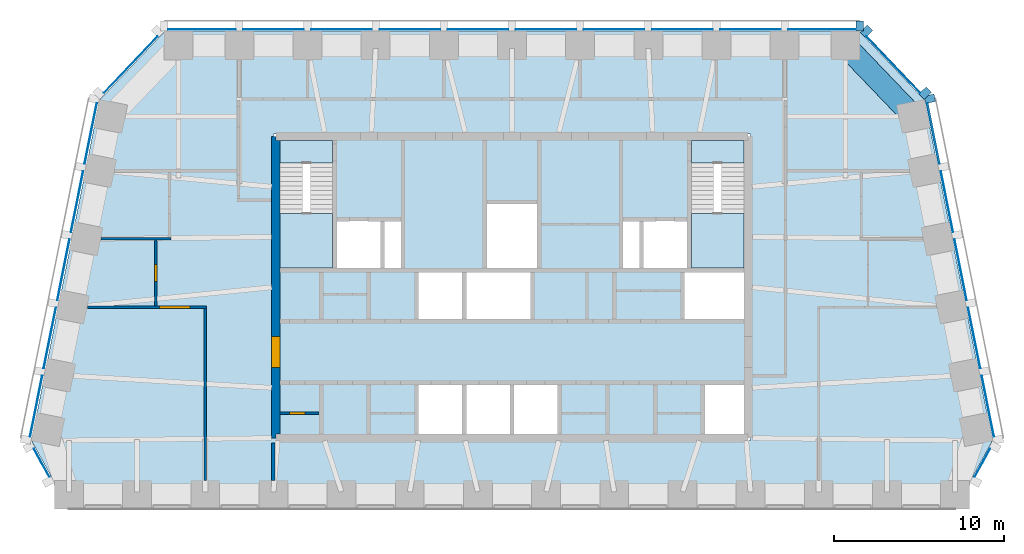
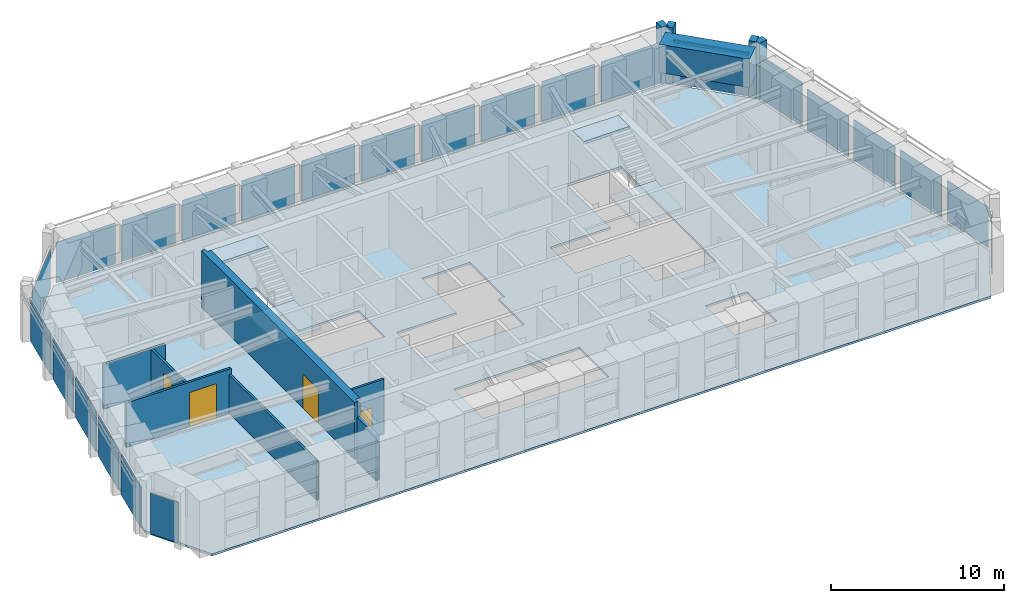
# One storey, part 3 of 8: 24 plates, 7 walls, 6 members, 5 slabs, 4 doors, 1 beam, 4 openings, 9 elements without a shape of their own.
"""IFC4 building model written with IfcOpenShell, lengths in metres."""

from ifc_helpers import new_model, si_unit, direction, frame, frame_2d, origin, origin_2d, place, context, subcontext, project, spatial, polyline, rectangle, outline, extrude, material, layer, layer_set, material_profile, profile_set, type_object, element, fill, aggregate, save


model = new_model("IFC4")

# Units and contexts
model_context = context("Model", 3, precision=1e-05, world=origin(), true_north=direction((0.0, 1.0)))
body_context = subcontext(model_context, "Body", "Model", "MODEL_VIEW")
ifc_project = project(units=[si_unit("LENGTHUNIT", "METRE"), si_unit("AREAUNIT", "SQUARE_METRE"), si_unit("VOLUMEUNIT", "CUBIC_METRE"), si_unit("PLANEANGLEUNIT", "RADIAN"), si_unit("MASSUNIT", "GRAM", prefix="KILO")], contexts=[model_context])

# Site, building, storey
site_placement = place(None, origin())
site = spatial("IfcSite", under=ifc_project, at=site_placement, CompositionType="ELEMENT")
building_placement = place(site_placement, origin())
building = spatial("IfcBuilding", under=site, at=building_placement, Name="Isbrekke Arena Tower", CompositionType="ELEMENT")
storey_placement = place(building_placement, frame((0.0, 0.0, 320.0)))
storey = spatial("IfcBuildingStorey", under=building, at=storey_placement, Name="L75", CompositionType="ELEMENT", Elevation=320.0)

# Curtain wall, member
ifc_material_1 = material(Name="Glazed aluminium curtain wall", Category="aluminium")
curtain_wall_type = type_object("IfcCurtainWallType", Name="CWT TOWER CURTAIN WALL TOP ZONE", PredefinedType="USERDEFINED", material=ifc_material_1)
curtain_wall_1_placement = place(storey_placement, origin())
curtain_wall_1 = element("IfcCurtainWall", 1, at=curtain_wall_1_placement, inside=storey, type_object=curtain_wall_type, Name="CWT curtain wall L75-E", ObjectType="TOWER CURTAIN WALL TOP ZONE", PredefinedType="USERDEFINED")
ifc_material_2 = material(Name="Copper-clad aluminium mullion", Category="aluminium")
ifc_material_profile_1 = material_profile(ifc_material_2, rectangle(XDim=0.449951171875, YDim=0.60009765625, at=origin_2d()), Name="PIER 450X600")
ifc_profile_set_1 = profile_set([ifc_material_profile_1], Name="Copper-clad aluminium mullion")
member_type_1 = type_object("IfcMemberType", Name="CWT-M PIER MULLION 450 x 600", PredefinedType="MULLION", material=ifc_profile_set_1)
member_1_placement = place(storey_placement, frame((24.518798828125, 26.063720703125, 0.0), z_axis=(0.0, 0.0, 1.0), x_axis=(-0.196116135138, 0.980580675691, 0.0)))
member_1 = element("IfcMember", 2, at=member_1_placement, type_object=member_type_1, Name="CWT-M mullion 6", PredefinedType="MULLION", context=body_context, shape_type="SweptSolid", body=[
    extrude(rectangle(XDim=0.449951171875, YDim=0.60009765625, at=origin_2d()), origin(), (0.0, 0.0, 1.0), 4.0),
])

# Curtain wall, members
curtain_wall_2_placement = place(storey_placement, origin())
curtain_wall_2 = element("IfcCurtainWall", 3, at=curtain_wall_2_placement, inside=storey, type_object=curtain_wall_type, Name="CWT curtain wall L75-EN", ObjectType="TOWER CURTAIN WALL TOP ZONE", PredefinedType="USERDEFINED")
member_2_placement = place(storey_placement, frame((24.244384765625, 26.388671875, 0.0), z_axis=(0.0, 0.0, 1.0), x_axis=(-0.68874946192, 0.72499943359, 0.0)))
member_2 = element("IfcMember", 4, at=member_2_placement, type_object=member_type_1, Name="CWT-M mullion 1", PredefinedType="MULLION", context=body_context, shape_type="SweptSolid", body=[
    extrude(rectangle(XDim=0.449951171875, YDim=0.60009765625, at=origin_2d()), origin(), (0.0, 0.0, 1.0), 4.0),
])
member_3_placement = place(storey_placement, frame((20.795166015625, 30.019775390625, 0.0), z_axis=(0.0, 0.0, 1.0), x_axis=(-0.68874946192, 0.72499943359, 0.0)))
member_3 = element("IfcMember", 5, at=member_3_placement, type_object=member_type_1, Name="CWT-M mullion 2", PredefinedType="MULLION", context=body_context, shape_type="SweptSolid", body=[
    extrude(rectangle(XDim=0.449951171875, YDim=0.60009765625, at=origin_2d()), origin(), (0.0, 0.0, 1.0), 4.0),
])

# Curtain wall, member
curtain_wall_3_placement = place(storey_placement, origin())
curtain_wall_3 = element("IfcCurtainWall", 6, at=curtain_wall_3_placement, inside=storey, type_object=curtain_wall_type, Name="CWT curtain wall L75-N", ObjectType="TOWER CURTAIN WALL TOP ZONE", PredefinedType="USERDEFINED")
member_4_placement = place(storey_placement, frame((20.39990234375, 30.324951171875, 0.0), z_axis=(0.0, 0.0, 1.0), x_axis=(-1.0, 0.0, 0.0)))
member_4 = element("IfcMember", 7, at=member_4_placement, type_object=member_type_1, Name="CWT-M mullion 1", PredefinedType="MULLION", context=body_context, shape_type="SweptSolid", body=[
    extrude(rectangle(XDim=0.449951171875, YDim=0.60009765625, at=origin_2d()), origin(), (0.0, 0.0, 1.0), 4.0),
])

# Member
ifc_material_3 = material(Name="Aluminium transom", Category="aluminium")
ifc_material_profile_2 = material_profile(ifc_material_3, rectangle(XDim=0.1201171875, YDim=0.199951171875, at=origin_2d()), Name="TRANSOM 120X200")
ifc_profile_set_2 = profile_set([ifc_material_profile_2], Name="Aluminium transom")
member_type_2 = type_object("IfcMemberType", Name="CWT-T TRANSOM 120 x 200", PredefinedType="USERDEFINED", material=ifc_profile_set_2)
member_5_placement = place(storey_placement, frame((25.078369140625, 22.2451171875, 3.0), z_axis=(-0.196090262229, 0.980585849918, 0.0), x_axis=(-0.980585849918, -0.196090262229, 0.0)))
member_5 = element("IfcMember", 8, at=member_5_placement, type_object=member_type_2, Name="CWT-T transom 5", ObjectType="TRANSOM", PredefinedType="USERDEFINED", context=body_context, shape_type="SweptSolid", body=[
    extrude(rectangle(XDim=0.1201171875, YDim=0.199951171875, at=origin_2d()), origin(), (0.0, 0.0, 1.0), 3.62939453125),
])

member_6_placement = place(storey_placement, frame((23.944580078125, 26.4140625, 3.0), z_axis=(-0.688771983213, 0.724978037696, 0.0), x_axis=(-0.724978037696, -0.688771983213, 0.0)))
member_6 = element("IfcMember", 9, at=member_6_placement, type_object=member_type_2, Name="CWT-T transom 1", ObjectType="TRANSOM", PredefinedType="USERDEFINED", context=body_context, shape_type="SweptSolid", body=[
    extrude(rectangle(XDim=0.1201171875, YDim=0.199951171875, at=origin_2d()), origin(), (0.0, 0.0, 1.0), 4.558349609375),
])

# Beam
ifc_material_4 = material(Name="Concrete B55 (C55/67)", Category="concrete")
ifc_material_profile_3 = material_profile(ifc_material_4, rectangle(XDim=1.300048828125, YDim=2.0, at=origin_2d()), Name="RC 1300x2000")
ifc_profile_set_3 = profile_set([ifc_material_profile_3], Name="Concrete B55 (C55/67)")
beam_type = type_object("IfcBeamType", Name="SB4 RC 1300 x 2000", PredefinedType="SPANDREL", material=ifc_profile_set_3)
beam_placement = place(storey_placement, frame((23.448974609375, 25.137451171875, 3.0), z_axis=(-0.692339547635, 0.721571861134, 0.0), x_axis=(-0.721571861134, -0.692339547635, 0.0)))
element("IfcBeam", 10, at=beam_placement, inside=storey, type_object=beam_type, Name="SB4 spandrel E06-N01 L75", PredefinedType="SPANDREL", context=body_context, shape_type="SweptSolid", body=[
    extrude(rectangle(XDim=1.300048828125, YDim=2.0, at=origin_2d()), origin(), (0.0, 0.0, 1.0), 5.4453125),
])

# Curtain wall, plate
curtain_wall_4_placement = place(storey_placement, origin())
curtain_wall_4 = element("IfcCurtainWall", 11, at=curtain_wall_4_placement, inside=storey, type_object=curtain_wall_type, Name="CWT curtain wall L75-SE", ObjectType="TOWER CURTAIN WALL TOP ZONE", PredefinedType="USERDEFINED")
ifc_material_5 = material(Name="Triple-glazed clear glass unit", Category="glass")
ifc_layer_1 = layer(ifc_material_5, 0.031982421875)
ifc_layer_set_1 = layer_set([ifc_layer_1], Name="CWT-P VISION PANEL")
plate_type = type_object("IfcPlateType", Name="CWT-P VISION PANEL", PredefinedType="CURTAIN_PANEL", material=ifc_layer_set_1)
plate_1_placement = place(storey_placement, frame((27.604248046875, 4.70947265625, 0.02001953125), z_axis=(0.0, 0.0, 1.0), x_axis=(0.481918749773, 0.876215908676, 0.0)))
plate_1 = element("IfcPlate", 12, at=plate_1_placement, type_object=plate_type, Name="CWT-P panel 1", PredefinedType="CURTAIN_PANEL", context=body_context, shape_type="SweptSolid", body=[
    extrude(rectangle(XDim=1.876220703125, YDim=0.031982421875, at=origin_2d()), origin(), (0.0, 0.0, 1.0), 2.8798828125),
])
aggregate(curtain_wall_4, [plate_1])

# Plate
plate_2_placement = place(storey_placement, frame((27.922607421875, 8.0244140625, 0.02001953125), z_axis=(0.0, 0.0, 1.0), x_axis=(-0.196116135138, 0.980580675691, 0.0)))
plate_2 = element("IfcPlate", 13, at=plate_2_placement, type_object=plate_type, Name="CWT-P panel 1", PredefinedType="CURTAIN_PANEL", context=body_context, shape_type="SweptSolid", body=[
    extrude(rectangle(XDim=3.629150390625, YDim=0.031982421875, at=origin_2d()), origin(), (0.0, 0.0, 1.0), 2.8798828125),
])

plate_3_placement = place(storey_placement, frame((27.12255859375, 12.0244140625, 0.02001953125), z_axis=(0.0, 0.0, 1.0), x_axis=(-0.196116135138, 0.980580675691, 0.0)))
plate_3 = element("IfcPlate", 14, at=plate_3_placement, type_object=plate_type, Name="CWT-P panel 2", PredefinedType="CURTAIN_PANEL", context=body_context, shape_type="SweptSolid", body=[
    extrude(rectangle(XDim=3.629150390625, YDim=0.031982421875, at=origin_2d()), origin(), (0.0, 0.0, 1.0), 2.8798828125),
])

plate_4_placement = place(storey_placement, frame((26.322509765625, 16.0244140625, 0.02001953125), z_axis=(0.0, 0.0, 1.0), x_axis=(-0.196116135138, 0.980580675691, 0.0)))
plate_4 = element("IfcPlate", 15, at=plate_4_placement, type_object=plate_type, Name="CWT-P panel 3", PredefinedType="CURTAIN_PANEL", context=body_context, shape_type="SweptSolid", body=[
    extrude(rectangle(XDim=3.629150390625, YDim=0.031982421875, at=origin_2d()), origin(), (0.0, 0.0, 1.0), 2.8798828125),
])

plate_5_placement = place(storey_placement, frame((25.5224609375, 20.0244140625, 0.02001953125), z_axis=(0.0, 0.0, 1.0), x_axis=(-0.196116135138, 0.980580675691, 0.0)))
plate_5 = element("IfcPlate", 16, at=plate_5_placement, type_object=plate_type, Name="CWT-P panel 4", PredefinedType="CURTAIN_PANEL", context=body_context, shape_type="SweptSolid", body=[
    extrude(rectangle(XDim=3.629150390625, YDim=0.031982421875, at=origin_2d()), origin(), (0.0, 0.0, 1.0), 2.8798828125),
])

plate_6_placement = place(storey_placement, frame((24.72265625, 24.0244140625, 0.02001953125), z_axis=(0.0, 0.0, 1.0), x_axis=(-0.196116135138, 0.980580675691, 0.0)))
plate_6 = element("IfcPlate", 17, at=plate_6_placement, type_object=plate_type, Name="CWT-P panel 5", PredefinedType="CURTAIN_PANEL", context=body_context, shape_type="SweptSolid", body=[
    extrude(rectangle(XDim=3.629150390625, YDim=0.031982421875, at=origin_2d()), origin(), (0.0, 0.0, 1.0), 2.8798828125),
])

aggregate(curtain_wall_1, [member_1, plate_2, plate_3, plate_4, plate_5, member_5, plate_6])

plate_7_placement = place(storey_placement, frame((22.374755859375, 28.06640625, 0.02001953125), z_axis=(0.0, 0.0, 1.0), x_axis=(-0.68874946192, 0.72499943359, 0.0)))
plate_7 = element("IfcPlate", 18, at=plate_7_placement, type_object=plate_type, Name="CWT-P panel 1", PredefinedType="CURTAIN_PANEL", context=body_context, shape_type="SweptSolid", body=[
    extrude(rectangle(XDim=4.558349609375, YDim=0.031982421875, at=origin_2d()), origin(), (0.0, 0.0, 1.0), 2.8798828125),
])

aggregate(curtain_wall_2, [member_2, member_3, member_6, plate_7])

plate_8_placement = place(storey_placement, frame((18.199951171875, 30.125, 0.02001953125), z_axis=(0.0, 0.0, 1.0), x_axis=(-1.0, 0.0, 0.0)))
plate_8 = element("IfcPlate", 19, at=plate_8_placement, type_object=plate_type, Name="CWT-P panel 1", PredefinedType="CURTAIN_PANEL", context=body_context, shape_type="SweptSolid", body=[
    extrude(rectangle(XDim=3.949951171875, YDim=0.031982421875, at=origin_2d()), origin(), (0.0, 0.0, 1.0), 2.8798828125),
])

plate_9_placement = place(storey_placement, frame((14.0, 30.125, 0.02001953125), z_axis=(0.0, 0.0, 1.0), x_axis=(-1.0, 0.0, 0.0)))
plate_9 = element("IfcPlate", 20, at=plate_9_placement, type_object=plate_type, Name="CWT-P panel 2", PredefinedType="CURTAIN_PANEL", context=body_context, shape_type="SweptSolid", body=[
    extrude(rectangle(XDim=3.550048828125, YDim=0.031982421875, at=origin_2d()), origin(), (0.0, 0.0, 1.0), 2.8798828125),
])

plate_10_placement = place(storey_placement, frame((10.0, 30.125, 0.02001953125), z_axis=(0.0, 0.0, 1.0), x_axis=(-1.0, 0.0, 0.0)))
plate_10 = element("IfcPlate", 21, at=plate_10_placement, type_object=plate_type, Name="CWT-P panel 3", PredefinedType="CURTAIN_PANEL", context=body_context, shape_type="SweptSolid", body=[
    extrude(rectangle(XDim=3.550048828125, YDim=0.031982421875, at=origin_2d()), origin(), (0.0, 0.0, 1.0), 2.8798828125),
])

plate_11_placement = place(storey_placement, frame((6.0, 30.125, 0.02001953125), z_axis=(0.0, 0.0, 1.0), x_axis=(-1.0, 0.0, 0.0)))
plate_11 = element("IfcPlate", 22, at=plate_11_placement, type_object=plate_type, Name="CWT-P panel 4", PredefinedType="CURTAIN_PANEL", context=body_context, shape_type="SweptSolid", body=[
    extrude(rectangle(XDim=3.550048828125, YDim=0.031982421875, at=origin_2d()), origin(), (0.0, 0.0, 1.0), 2.8798828125),
])

plate_12_placement = place(storey_placement, frame((2.0, 30.125, 0.02001953125), z_axis=(0.0, 0.0, 1.0), x_axis=(-1.0, 0.0, 0.0)))
plate_12 = element("IfcPlate", 23, at=plate_12_placement, type_object=plate_type, Name="CWT-P panel 5", PredefinedType="CURTAIN_PANEL", context=body_context, shape_type="SweptSolid", body=[
    extrude(rectangle(XDim=3.550048828125, YDim=0.031982421875, at=origin_2d()), origin(), (0.0, 0.0, 1.0), 2.8798828125),
])

plate_13_placement = place(storey_placement, frame((-2.0, 30.125, 0.02001953125), z_axis=(0.0, 0.0, 1.0), x_axis=(-1.0, 0.0, 0.0)))
plate_13 = element("IfcPlate", 24, at=plate_13_placement, type_object=plate_type, Name="CWT-P panel 6", PredefinedType="CURTAIN_PANEL", context=body_context, shape_type="SweptSolid", body=[
    extrude(rectangle(XDim=3.550048828125, YDim=0.031982421875, at=origin_2d()), origin(), (0.0, 0.0, 1.0), 2.8798828125),
])

plate_14_placement = place(storey_placement, frame((-6.0, 30.125, 0.02001953125), z_axis=(0.0, 0.0, 1.0), x_axis=(-1.0, 0.0, 0.0)))
plate_14 = element("IfcPlate", 25, at=plate_14_placement, type_object=plate_type, Name="CWT-P panel 7", PredefinedType="CURTAIN_PANEL", context=body_context, shape_type="SweptSolid", body=[
    extrude(rectangle(XDim=3.550048828125, YDim=0.031982421875, at=origin_2d()), origin(), (0.0, 0.0, 1.0), 2.8798828125),
])

plate_15_placement = place(storey_placement, frame((-10.0, 30.125, 0.02001953125), z_axis=(0.0, 0.0, 1.0), x_axis=(-1.0, 0.0, 0.0)))
plate_15 = element("IfcPlate", 26, at=plate_15_placement, type_object=plate_type, Name="CWT-P panel 8", PredefinedType="CURTAIN_PANEL", context=body_context, shape_type="SweptSolid", body=[
    extrude(rectangle(XDim=3.550048828125, YDim=0.031982421875, at=origin_2d()), origin(), (0.0, 0.0, 1.0), 2.8798828125),
])

plate_16_placement = place(storey_placement, frame((-14.0, 30.125, 0.02001953125), z_axis=(0.0, 0.0, 1.0), x_axis=(-1.0, 0.0, 0.0)))
plate_16 = element("IfcPlate", 27, at=plate_16_placement, type_object=plate_type, Name="CWT-P panel 9", PredefinedType="CURTAIN_PANEL", context=body_context, shape_type="SweptSolid", body=[
    extrude(rectangle(XDim=3.550048828125, YDim=0.031982421875, at=origin_2d()), origin(), (0.0, 0.0, 1.0), 2.8798828125),
])

plate_17_placement = place(storey_placement, frame((-18.199951171875, 30.125, 0.02001953125), z_axis=(0.0, 0.0, 1.0), x_axis=(-1.0, 0.0, 0.0)))
plate_17 = element("IfcPlate", 28, at=plate_17_placement, type_object=plate_type, Name="CWT-P panel 10", PredefinedType="CURTAIN_PANEL", context=body_context, shape_type="SweptSolid", body=[
    extrude(rectangle(XDim=3.949951171875, YDim=0.031982421875, at=origin_2d()), origin(), (0.0, 0.0, 1.0), 2.8798828125),
])

aggregate(curtain_wall_3, [member_4, plate_8, plate_9, plate_10, plate_11, plate_12, plate_13, plate_14, plate_15, plate_16, plate_17])

# Curtain wall, plate
curtain_wall_5_placement = place(storey_placement, origin())
curtain_wall_5 = element("IfcCurtainWall", 29, at=curtain_wall_5_placement, inside=storey, type_object=curtain_wall_type, Name="CWT curtain wall L75-NW", ObjectType="TOWER CURTAIN WALL TOP ZONE", PredefinedType="USERDEFINED")
plate_18_placement = place(storey_placement, frame((-22.37451171875, 28.066650390625, 0.02001953125), z_axis=(0.0, 0.0, 1.0), x_axis=(-0.68874946192, -0.72499943359, 0.0)))
plate_18 = element("IfcPlate", 30, at=plate_18_placement, type_object=plate_type, Name="CWT-P panel 1", PredefinedType="CURTAIN_PANEL", context=body_context, shape_type="SweptSolid", body=[
    extrude(rectangle(XDim=4.557373046875, YDim=0.031982421875, at=origin_2d()), origin(), (0.0, 0.0, 1.0), 2.8798828125),
])
aggregate(curtain_wall_5, [plate_18])

# Curtain wall, plates
curtain_wall_6_placement = place(storey_placement, origin())
curtain_wall_6 = element("IfcCurtainWall", 31, at=curtain_wall_6_placement, inside=storey, type_object=curtain_wall_type, Name="CWT curtain wall L75-W", ObjectType="TOWER CURTAIN WALL TOP ZONE", PredefinedType="USERDEFINED")
plate_19_placement = place(storey_placement, frame((-24.72265625, 24.0244140625, 0.02001953125), z_axis=(0.0, 0.0, 1.0), x_axis=(-0.196116135138, -0.980580675691, 0.0)))
plate_19 = element("IfcPlate", 32, at=plate_19_placement, type_object=plate_type, Name="CWT-P panel 1", PredefinedType="CURTAIN_PANEL", context=body_context, shape_type="SweptSolid", body=[
    extrude(rectangle(XDim=3.629150390625, YDim=0.031982421875, at=origin_2d()), origin(), (0.0, 0.0, 1.0), 2.8798828125),
])
plate_20_placement = place(storey_placement, frame((-25.5224609375, 20.0244140625, 0.02001953125), z_axis=(0.0, 0.0, 1.0), x_axis=(-0.196116135138, -0.980580675691, 0.0)))
plate_20 = element("IfcPlate", 33, at=plate_20_placement, type_object=plate_type, Name="CWT-P panel 2", PredefinedType="CURTAIN_PANEL", context=body_context, shape_type="SweptSolid", body=[
    extrude(rectangle(XDim=3.629150390625, YDim=0.031982421875, at=origin_2d()), origin(), (0.0, 0.0, 1.0), 2.8798828125),
])
plate_21_placement = place(storey_placement, frame((-26.322509765625, 16.0244140625, 0.02001953125), z_axis=(0.0, 0.0, 1.0), x_axis=(-0.196116135138, -0.980580675691, 0.0)))
plate_21 = element("IfcPlate", 34, at=plate_21_placement, type_object=plate_type, Name="CWT-P panel 3", PredefinedType="CURTAIN_PANEL", context=body_context, shape_type="SweptSolid", body=[
    extrude(rectangle(XDim=3.629150390625, YDim=0.031982421875, at=origin_2d()), origin(), (0.0, 0.0, 1.0), 2.8798828125),
])
plate_22_placement = place(storey_placement, frame((-27.12255859375, 12.0244140625, 0.02001953125), z_axis=(0.0, 0.0, 1.0), x_axis=(-0.196116135138, -0.980580675691, 0.0)))
plate_22 = element("IfcPlate", 35, at=plate_22_placement, type_object=plate_type, Name="CWT-P panel 4", PredefinedType="CURTAIN_PANEL", context=body_context, shape_type="SweptSolid", body=[
    extrude(rectangle(XDim=3.629150390625, YDim=0.031982421875, at=origin_2d()), origin(), (0.0, 0.0, 1.0), 2.8798828125),
])
plate_23_placement = place(storey_placement, frame((-27.922607421875, 8.0244140625, 0.02001953125), z_axis=(0.0, 0.0, 1.0), x_axis=(-0.196116135138, -0.980580675691, 0.0)))
plate_23 = element("IfcPlate", 36, at=plate_23_placement, type_object=plate_type, Name="CWT-P panel 5", PredefinedType="CURTAIN_PANEL", context=body_context, shape_type="SweptSolid", body=[
    extrude(rectangle(XDim=3.629150390625, YDim=0.031982421875, at=origin_2d()), origin(), (0.0, 0.0, 1.0), 2.8798828125),
])
aggregate(curtain_wall_6, [plate_19, plate_20, plate_21, plate_22, plate_23])

# Curtain wall, plate
curtain_wall_7_placement = place(storey_placement, origin())
curtain_wall_7 = element("IfcCurtainWall", 37, at=curtain_wall_7_placement, inside=storey, type_object=curtain_wall_type, Name="CWT curtain wall L75-WS", ObjectType="TOWER CURTAIN WALL TOP ZONE", PredefinedType="USERDEFINED")
plate_24_placement = place(storey_placement, frame((-27.60400390625, 4.708984375, 0.02001953125), z_axis=(0.0, 0.0, 1.0), x_axis=(0.481918749773, -0.876215908676, 0.0)))
plate_24 = element("IfcPlate", 38, at=plate_24_placement, type_object=plate_type, Name="CWT-P panel 1", PredefinedType="CURTAIN_PANEL", context=body_context, shape_type="SweptSolid", body=[
    extrude(rectangle(XDim=1.878173828125, YDim=0.031982421875, at=origin_2d()), origin(), (0.0, 0.0, 1.0), 2.8798828125),
])
aggregate(curtain_wall_7, [plate_24])

# Slab
ifc_material_6 = material(Name="Concrete B35 (C35/45)", Category="concrete")
ifc_layer_2 = layer(ifc_material_6, 0.14990234375)
ifc_layer_set_2 = layer_set([ifc_layer_2], Name="FS1 COMPOSITE FLOOR 150")
slab_type_1 = type_object("IfcSlabType", Name="FS1 COMPOSITE FLOOR 150", PredefinedType="FLOOR", material=ifc_layer_set_2)
slab_1_placement = place(storey_placement, frame((0.0, 0.0, -0.14990234375)))
element("IfcSlab", 39, at=slab_1_placement, inside=storey, type_object=slab_type_1, Name="FS1 floor slab L75", PredefinedType="FLOOR", context=body_context, shape_type="SweptSolid", body=[
    extrude(outline(polyline([(-26.0, 2.0), (26.0, 2.0), (28.199951171875, 6.0), (24.199951171875, 26.0), (20.39990234375, 30.0), (-20.39990234375, 30.0), (-24.199951171875, 26.0), (-28.199951171875, 6.0), (-26.0, 2.0)]), holes=[polyline([(2.800048828125, 9.39990234375), (2.800048828125, 6.0), (-5.60009765625, 6.0), (-5.60009765625, 9.39990234375), (2.800048828125, 9.39990234375)]), polyline([(11.199951171875, 6.0), (11.199951171875, 9.39990234375), (14.0, 9.39990234375), (14.0, 6.0), (11.199951171875, 6.0)]), polyline([(-5.60009765625, 13.0), (-5.60009765625, 16.0), (-1.60009765625, 16.0), (-1.60009765625, 20.0), (1.60009765625, 20.0), (1.60009765625, 16.0), (1.199951171875, 16.0), (1.199951171875, 13.0), (-5.60009765625, 13.0)]), polyline([(14.0, 13.0), (10.0, 13.0), (10.0, 16.0), (6.39990234375, 16.0), (6.39990234375, 19.0), (10.39990234375, 19.0), (10.39990234375, 24.0), (14.0, 24.0), (14.0, 13.0)]), polyline([(-6.39990234375, 19.0), (-6.39990234375, 16.0), (-14.0, 16.0), (-14.0, 24.0), (-10.39990234375, 24.0), (-10.39990234375, 19.0), (-6.39990234375, 19.0)])]), origin(), (0.0, 0.0, 1.0), 0.14990234375),
])

# Stair, slabs
ifc_material_7 = material(Name="Concrete B45 (C45/55) precast", Category="concrete")
stair_type = type_object("IfcStairType", Name="ST40 STAIR 1300 WIDE, 24 RISERS 167", PredefinedType="HALF_TURN_STAIR", material=ifc_material_7)
stair_1_placement = place(storey_placement, origin())
stair_1 = element("IfcStair", 40, at=stair_1_placement, inside=storey, type_object=stair_type, Name="ST1 stair L75", PredefinedType="HALF_TURN_STAIR")
ifc_material_8 = material(Name="Concrete B35 (C35/45)", Category="concrete")
ifc_layer_3 = layer(ifc_material_8, 0.199951171875)
ifc_layer_set_3 = layer_set([ifc_layer_3], Name="SL1 STAIR LANDING 200")
slab_type_2 = type_object("IfcSlabType", Name="SL1 STAIR LANDING 200", PredefinedType="LANDING", material=ifc_layer_set_3)
slab_2_placement = place(storey_placement, frame((0.0, 0.0, 1.800048828125)))
slab_2 = element("IfcSlab", 41, at=slab_2_placement, type_object=slab_type_2, Name="ST1 landing 1", PredefinedType="LANDING", context=body_context, shape_type="SweptSolid", body=[
    extrude(outline(polyline([(-13.60009765625, 16.125), (-10.52490234375, 16.125), (-10.52490234375, 19.330078125), (-13.60009765625, 19.330078125), (-13.60009765625, 16.125)])), origin(), (0.0, 0.0, 1.0), 0.199951171875),
])
slab_3_placement = place(storey_placement, frame((0.0, 0.0, 3.800048828125)))
slab_3 = element("IfcSlab", 42, at=slab_3_placement, type_object=slab_type_2, Name="ST1 landing 2", PredefinedType="LANDING", context=body_context, shape_type="SweptSolid", body=[
    extrude(outline(polyline([(-13.60009765625, 22.300048828125), (-10.52490234375, 22.300048828125), (-10.52490234375, 23.60009765625), (-13.60009765625, 23.60009765625), (-13.60009765625, 22.300048828125)])), origin(), (0.0, 0.0, 1.0), 0.199951171875),
])
aggregate(stair_1, [slab_2, slab_3])

stair_2_placement = place(storey_placement, origin())
stair_2 = element("IfcStair", 43, at=stair_2_placement, inside=storey, type_object=stair_type, Name="ST2 stair L75", PredefinedType="HALF_TURN_STAIR")
slab_4_placement = place(storey_placement, frame((0.0, 0.0, 1.800048828125)))
slab_4 = element("IfcSlab", 44, at=slab_4_placement, type_object=slab_type_2, Name="ST2 landing 1", PredefinedType="LANDING", context=body_context, shape_type="SweptSolid", body=[
    extrude(outline(polyline([(10.52490234375, 16.125), (13.60009765625, 16.125), (13.60009765625, 19.330078125), (10.52490234375, 19.330078125), (10.52490234375, 16.125)])), origin(), (0.0, 0.0, 1.0), 0.199951171875),
])
slab_5_placement = place(storey_placement, frame((0.0, 0.0, 3.800048828125)))
slab_5 = element("IfcSlab", 45, at=slab_5_placement, type_object=slab_type_2, Name="ST2 landing 2", PredefinedType="LANDING", context=body_context, shape_type="SweptSolid", body=[
    extrude(outline(polyline([(10.52490234375, 22.300048828125), (13.60009765625, 22.300048828125), (13.60009765625, 23.60009765625), (10.52490234375, 23.60009765625), (10.52490234375, 22.300048828125)])), origin(), (0.0, 0.0, 1.0), 0.199951171875),
])
aggregate(stair_2, [slab_4, slab_5])

# Wall, opening, door
ifc_material_9 = material(Name="Concrete B55 (C55/67)", Category="concrete")
ifc_layer_4 = layer(ifc_material_9, 0.5)
ifc_layer_set_4 = layer_set([ifc_layer_4], Name="CW5 CORE WALL 500")
wall_type_1 = type_object("IfcWallType", Name="CW5 CORE WALL 500", PredefinedType="SHEAR", material=ifc_layer_set_4)
wall_1_placement = place(storey_placement, frame((-13.85009765625, 23.85009765625, 0.0), z_axis=(0.0, 0.0, 1.0), x_axis=(0.0, -1.0, 0.0)))
wall_1 = element("IfcWall", 46, at=wall_1_placement, inside=storey, type_object=wall_type_1, Name="Core wall W L75", PredefinedType="SHEAR", context=body_context, shape_type="SweptSolid", body=[
    extrude(outline(polyline([(0.0, -0.25), (17.7001953125, -0.25), (17.7001953125, 0.0), (17.4501953125, 0.0), (17.4501953125, 0.25), (0.25, 0.25), (0.25, 0.0), (0.0, 0.0), (0.0, -0.25)])), origin(), (0.0, 0.0, 1.0), 4.0),
])
opening_1_placement = place(wall_1_placement, frame((11.75, 0.0, 0.0)))
opening_1 = element("IfcOpeningElement", 47, at=opening_1_placement, cuts=wall_1, Name="Opening D1", PredefinedType="OPENING", context=body_context, shape_type="SweptSolid", body=[
    extrude(rectangle(XDim=1.800048828125, YDim=2.39990234375, at=frame_2d((0.89990234375, 1.199951171875))), frame((0.0, 0.264892578125, 0.0), z_axis=(0.0, -1.0, 0.0), x_axis=(1.0, 0.0, 0.0)), (0.0, 0.0, 1.0), 0.52978515625),
])
ifc_material_10 = material(Name="Steel-framed glazed fire door", Category="steel")
door_type_1 = type_object("IfcDoorType", Name="D1 CORE LOBBY DOOR 1800 x 2400", OperationType="DOUBLE_DOOR_SINGLE_SWING", PredefinedType="DOOR", material=ifc_material_10)
door_1_placement = place(opening_1_placement, origin())
door_1 = element("IfcDoor", 48, at=door_1_placement, inside=storey, type_object=door_type_1, Name="D1 lift lobby door west L75", OperationType="DOUBLE_DOOR_SINGLE_SWING", OverallHeight=2.39990234375, OverallWidth=1.800048828125, PredefinedType="DOOR", context=body_context, shape_type="SweptSolid", body=[
    extrude(rectangle(XDim=1.800048828125, YDim=2.39990234375, at=frame_2d((0.89990234375, 1.199951171875))), frame((0.0, 0.249755859375, 0.0), z_axis=(0.0, -1.0, 0.0), x_axis=(1.0, 0.0, 0.0)), (0.0, 0.0, 1.0), 0.49951171875),
])
fill(opening_1, door_1)

ifc_material_11 = material(Name="Gypsum board partition on steel studs", Category="steel")
ifc_layer_5 = layer(ifc_material_11, 0.14990234375)
ifc_layer_set_5 = layer_set([ifc_layer_5], Name="IW1 PARTITION 150")
wall_type_2 = type_object("IfcWallType", Name="IW1 PARTITION 150", PredefinedType="PARTITIONING", material=ifc_layer_set_5)
wall_2_placement = place(storey_placement, frame((-24.923828125, 13.840087890625, 0.0), z_axis=(0.0, 0.0, 1.0), x_axis=(1.0, 0.0, 0.0)))
wall_2 = element("IfcWall", 49, at=wall_2_placement, inside=storey, type_object=wall_type_2, Name="IW1 partition 150 L75", PredefinedType="PARTITIONING", context=body_context, shape_type="SweptSolid", body=[
    extrude(rectangle(XDim=6.998779296875, YDim=0.14990234375, at=frame_2d((3.49951171875, 0.0))), origin(), (0.0, 0.0, 1.0), 3.1298828125),
])
opening_2_placement = place(wall_2_placement, frame((4.223876953125, 0.0, 0.0)))
opening_2 = element("IfcOpeningElement", 50, at=opening_2_placement, cuts=wall_2, Name="Opening D13", PredefinedType="OPENING", context=body_context, shape_type="SweptSolid", body=[
    extrude(rectangle(XDim=1.800048828125, YDim=2.39990234375, at=frame_2d((0.89990234375, 1.199951171875))), frame((0.0, 0.08984375, 0.0), z_axis=(0.0, -1.0, 0.0), x_axis=(1.0, 0.0, 0.0)), (0.0, 0.0, 1.0), 0.1796875),
])
ifc_material_12 = material(Name="Timber door pair", Category="wood")
door_type_2 = type_object("IfcDoorType", Name="D13 DOUBLE ROOM DOOR 1800 x 2400", OperationType="DOUBLE_DOOR_SINGLE_SWING", PredefinedType="DOOR", material=ifc_material_12)
door_2_placement = place(opening_2_placement, origin())
door_2 = element("IfcDoor", 51, at=door_2_placement, inside=storey, type_object=door_type_2, Name="D13 function room door L75", OperationType="DOUBLE_DOOR_SINGLE_SWING", OverallHeight=2.39990234375, OverallWidth=1.800048828125, PredefinedType="DOOR", context=body_context, shape_type="SweptSolid", body=[
    extrude(rectangle(XDim=1.800048828125, YDim=2.39990234375, at=frame_2d((0.89990234375, 1.199951171875))), frame((0.0, 0.07470703125, 0.0), z_axis=(0.0, -1.0, 0.0), x_axis=(1.0, 0.0, 0.0)), (0.0, 0.0, 1.0), 0.1494140625),
])
fill(opening_2, door_2)

# Wall
wall_3_placement = place(storey_placement, frame((-24.123779296875, 17.840087890625, 0.0), z_axis=(0.0, 0.0, 1.0), x_axis=(1.0, 0.0, 0.0)))
element("IfcWall", 52, at=wall_3_placement, inside=storey, type_object=wall_type_2, Name="IW1 partition 150 L75", PredefinedType="PARTITIONING", context=body_context, shape_type="SweptSolid", body=[
    extrude(rectangle(XDim=4.098876953125, YDim=0.14990234375, at=frame_2d((2.04931640625, 0.0))), origin(), (0.0, 0.0, 1.0), 3.1298828125),
])

# Wall, opening, door
wall_4_placement = place(storey_placement, frame((-20.89990234375, 13.9150390625, 0.0), z_axis=(0.0, 0.0, 1.0), x_axis=(0.0, 1.0, 0.0)))
wall_4 = element("IfcWall", 53, at=wall_4_placement, inside=storey, type_object=wall_type_2, Name="IW1 partition 150 L75", PredefinedType="PARTITIONING", context=body_context, shape_type="SweptSolid", body=[
    extrude(rectangle(XDim=3.849853515625, YDim=0.14990234375, at=frame_2d((1.9248046875, 0.0))), origin(), (0.0, 0.0, 1.0), 3.1298828125),
])
opening_3_placement = place(wall_4_placement, frame((1.425048828125, 0.0, 0.0)))
opening_3 = element("IfcOpeningElement", 54, at=opening_3_placement, cuts=wall_4, Name="Opening D10", PredefinedType="OPENING", context=body_context, shape_type="SweptSolid", body=[
    extrude(rectangle(XDim=1.0, YDim=2.300048828125, at=frame_2d((0.5, 1.14990234375))), frame((0.0, 0.08984375, 0.0), z_axis=(0.0, -1.0, 0.0), x_axis=(1.0, 0.0, 0.0)), (0.0, 0.0, 1.0), 0.1796875),
])
ifc_material_13 = material(Name="Timber door", Category="wood")
door_type_3 = type_object("IfcDoorType", Name="D10 OFFICE DOOR 1000 x 2300", OperationType="SINGLE_SWING_LEFT", PredefinedType="DOOR", material=ifc_material_13)
door_3_placement = place(opening_3_placement, origin())
door_3 = element("IfcDoor", 55, at=door_3_placement, inside=storey, type_object=door_type_3, Name="D10 breakout room door L75", OperationType="SINGLE_SWING_LEFT", OverallHeight=2.300048828125, OverallWidth=1.0, PredefinedType="DOOR", context=body_context, shape_type="SweptSolid", body=[
    extrude(rectangle(XDim=1.0, YDim=2.300048828125, at=frame_2d((0.5, 1.14990234375))), frame((0.0, 0.07470703125, 0.0), z_axis=(0.0, -1.0, 0.0), x_axis=(1.0, 0.0, 0.0)), (0.0, 0.0, 1.0), 0.1494140625),
])
fill(opening_3, door_3)

# Walls
wall_5_placement = place(storey_placement, frame((-18.0, 3.675048828125, 0.0), z_axis=(0.0, 0.0, 1.0), x_axis=(0.0, 1.0, 0.0)))
element("IfcWall", 56, at=wall_5_placement, inside=storey, type_object=wall_type_2, Name="IW1 partition 150 L75", PredefinedType="PARTITIONING", context=body_context, shape_type="SweptSolid", body=[
    extrude(rectangle(XDim=10.08984375, YDim=0.14990234375, at=frame_2d((5.044921875, 0.0))), origin(), (0.0, 0.0, 1.0), 2.741943359375),
])
ifc_material_14 = material(Name="Gypsum board fire-cell wall on steel studs, two layers each side", Category="steel")
ifc_layer_6 = layer(ifc_material_14, 0.199951171875)
ifc_layer_set_6 = layer_set([ifc_layer_6], Name="IW3 FIRE-CELL WALL 200")
wall_type_3 = type_object("IfcWallType", Name="IW3 FIRE-CELL WALL 200", PredefinedType="PARTITIONING", material=ifc_layer_set_6)
wall_6_placement = place(storey_placement, frame((-14.0, 3.675048828125, 0.0), z_axis=(0.0, 0.0, 1.0), x_axis=(0.0, 1.0, 0.0)))
element("IfcWall", 57, at=wall_6_placement, inside=storey, type_object=wall_type_3, Name="IW3 fire-cell wall 200 L75", PredefinedType="PARTITIONING", context=body_context, shape_type="SweptSolid", body=[
    extrude(rectangle(XDim=2.195068359375, YDim=0.199951171875, at=frame_2d((1.09765625, 0.0))), origin(), (0.0, 0.0, 1.0), 3.1298828125),
])

# Wall, opening, door
ifc_material_15 = material(Name="Gypsum board fire-rated partition on steel studs, two layers each side", Category="steel")
ifc_layer_7 = layer(ifc_material_15, 0.14990234375)
ifc_layer_set_7 = layer_set([ifc_layer_7], Name="IW5 FIRE-RATED PARTITION 150")
wall_type_4 = type_object("IfcWallType", Name="IW5 FIRE-RATED PARTITION 150", PredefinedType="PARTITIONING", material=ifc_layer_set_7)
wall_7_placement = place(storey_placement, frame((-13.60009765625, 7.60009765625, 0.0), z_axis=(0.0, 0.0, 1.0), x_axis=(1.0, 0.0, 0.0)))
wall_7 = element("IfcWall", 58, at=wall_7_placement, inside=storey, type_object=wall_type_4, Name="IW5 fire-rated partition L75 core service rooms 4", PredefinedType="PARTITIONING", context=body_context, shape_type="SweptSolid", body=[
    extrude(rectangle(XDim=2.275146484375, YDim=0.14990234375, at=frame_2d((1.1376953125, 0.0))), origin(), (0.0, 0.0, 1.0), 3.85009765625),
])
opening_4_placement = place(wall_7_placement, frame((0.550048828125, 0.0, 0.0)))
opening_4 = element("IfcOpeningElement", 59, at=opening_4_placement, cuts=wall_7, Name="Opening D5", PredefinedType="OPENING", context=body_context, shape_type="SweptSolid", body=[
    extrude(rectangle(XDim=0.89990234375, YDim=2.10009765625, at=frame_2d((0.449951171875, 1.050048828125))), frame((0.0, 0.08984375, 0.0), z_axis=(0.0, -1.0, 0.0), x_axis=(1.0, 0.0, 0.0)), (0.0, 0.0, 1.0), 0.1796875),
])
ifc_material_16 = material(Name="Steel fire door", Category="steel")
door_type_4 = type_object("IfcDoorType", Name="D5 SERVICE DOOR 900 x 2100", OperationType="SINGLE_SWING_LEFT", PredefinedType="DOOR", material=ifc_material_16)
door_4_placement = place(opening_4_placement, origin())
door_4 = element("IfcDoor", 60, at=door_4_placement, inside=storey, type_object=door_type_4, Name="D5 archive door L75", OperationType="SINGLE_SWING_LEFT", OverallHeight=2.10009765625, OverallWidth=0.89990234375, PredefinedType="DOOR", context=body_context, shape_type="SweptSolid", body=[
    extrude(rectangle(XDim=0.89990234375, YDim=2.10009765625, at=frame_2d((0.449951171875, 1.050048828125))), frame((0.0, 0.07470703125, 0.0), z_axis=(0.0, -1.0, 0.0), x_axis=(1.0, 0.0, 0.0)), (0.0, 0.0, 1.0), 0.1494140625),
])
fill(opening_4, door_4)

save(model, "model.ifc")
